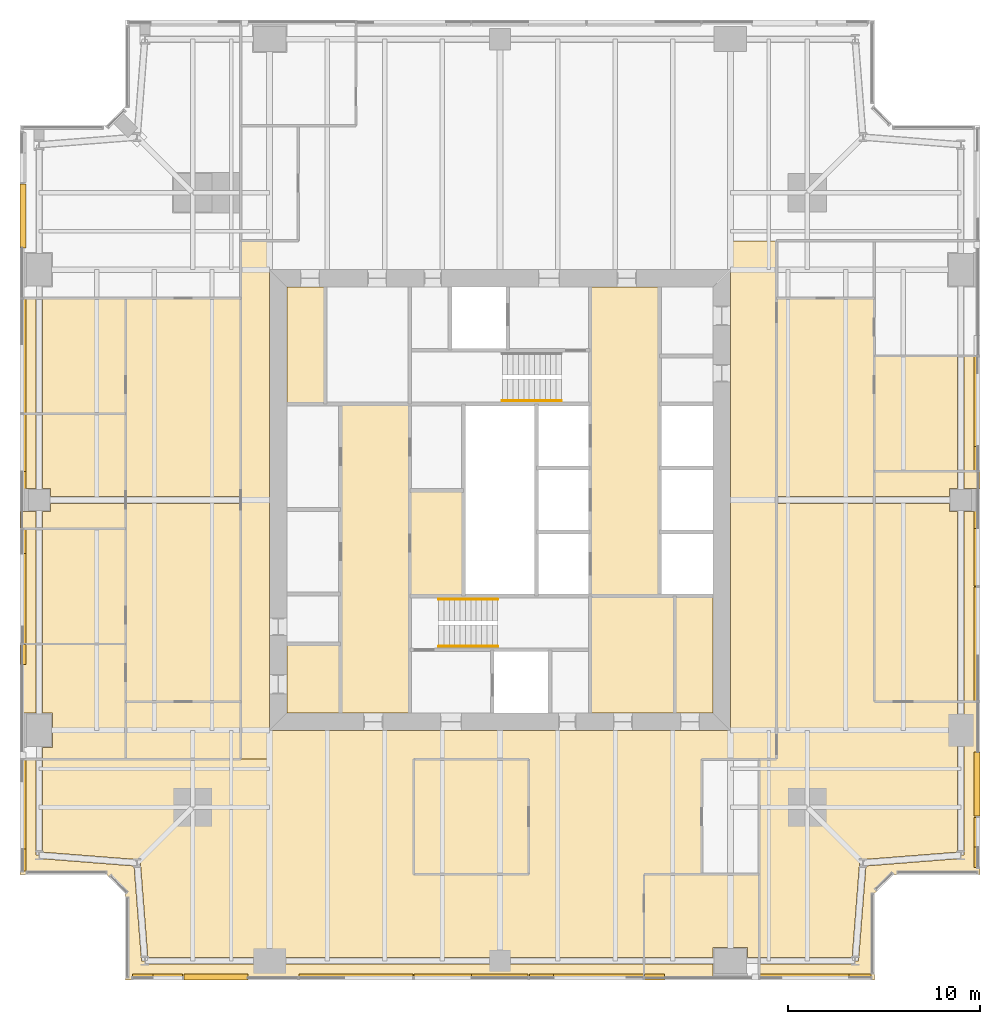
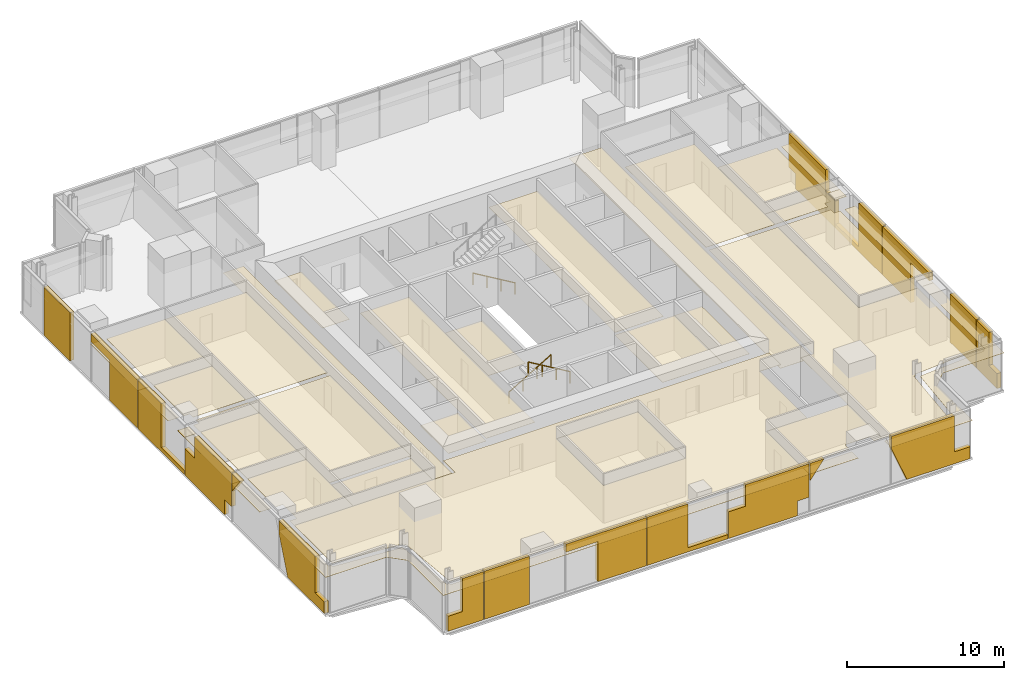
# One storey, part 13 of 14: 54 coverings, 3 railings.
"""IFC4 building model written with IfcOpenShell, lengths in metres."""

import ifcopenshell
import ifcopenshell.guid

model = None  # the IFC model being written
_history = None  # IfcOwnerHistory: only IFC2X3 demands one
_inside = {}  # id of a spatial element -> (the spatial element, [elements in it])
_under = {}  # id of a project, library or spatial element -> (it, [spatial elements below it])
_declared = {}  # id of a project -> (the project, [libraries it declares])
_typed = {}  # id of a type object -> (the type object, [elements of that type])
_made_of = {}  # id of a material, layer set ... -> (it, [elements and type objects made of it])


def new_model(schema):
    """Start an empty IFC model of exactly this schema.

    Asked for "IFC4X3", IfcOpenShell would pick the latest addendum, in which some entities
    have other attributes; the version numbers below select the first issue.
    IFC2X3 requires an IfcOwnerHistory on every rooted entity: one is made here for all.
    """
    global model, _history
    if schema == "IFC4X3":
        model = ifcopenshell.file(schema_version=(4, 3, 0, 0))
    else:
        model = ifcopenshell.file(schema=schema)
    _inside.clear()
    _under.clear()
    _declared.clear()
    _typed.clear()
    _made_of.clear()
    _history = None
    if model.schema == "IFC2X3":
        org = make("IfcOrganization", Name="unknown")
        user = make(
            "IfcPersonAndOrganization",
            ThePerson=make("IfcPerson", FamilyName="unknown"),
            TheOrganization=org,
        )
        app = make(
            "IfcApplication",
            ApplicationDeveloper=org,
            Version="unknown",
            ApplicationFullName="unknown",
            ApplicationIdentifier="unknown",
        )
        _history = make(
            "IfcOwnerHistory",
            OwningUser=user,
            OwningApplication=app,
            ChangeAction="ADDED",
            CreationDate=0,
        )
    return model


def make(cls, **values):
    """One entity of the class cls with the attributes given. An attribute that is None is left unset."""
    return model.create_entity(
        cls, **{name: value for name, value in values.items() if value is not None}
    )


def rooted(cls, **values):
    """An entity with a GlobalId (a new one), such as an element, a storey or a relation."""
    return make(cls, GlobalId=ifcopenshell.guid.new(), OwnerHistory=_history, **values)


def si_unit(unit_type, name, prefix=None):
    """IfcSIUnit, for example si_unit("LENGTHUNIT", "METRE", prefix="MILLI")."""
    return make("IfcSIUnit", UnitType=unit_type, Prefix=prefix, Name=name)


def assignment(units):
    """IfcUnitAssignment: the units of a project."""
    return None if units is None else make("IfcUnitAssignment", Units=units)


def point(xyz):
    """IfcCartesianPoint."""
    return None if xyz is None else make("IfcCartesianPoint", Coordinates=xyz)


def direction(xyz):
    """IfcDirection."""
    return None if xyz is None else make("IfcDirection", DirectionRatios=xyz)


def frame(location, z_axis=None, x_axis=None):
    """IfcAxis2Placement3D, a coordinate frame: its origin and axes. An axis left out is left unset."""
    return make(
        "IfcAxis2Placement3D",
        Location=point(location),
        Axis=direction(z_axis),
        RefDirection=direction(x_axis),
    )


def frame_2d(location, x_axis=None):
    """IfcAxis2Placement2D, a coordinate frame in the plane: its origin and x axis."""
    return make(
        "IfcAxis2Placement2D", Location=point(location), RefDirection=direction(x_axis)
    )


def origin():
    """The frame at (0, 0, 0) with its axes left unset."""
    return frame((0.0, 0.0, 0.0))


def origin_2d():
    """The frame at (0, 0) in the plane with its x axis left unset."""
    return frame_2d((0.0, 0.0))


def place(relative_to, where):
    """IfcLocalPlacement: puts the frame where relative to a parent placement (None: the world)."""
    return make(
        "IfcLocalPlacement", PlacementRelTo=relative_to, RelativePlacement=where
    )


def context(
    kind, dimensions, precision=None, world=None, true_north=None, identifier=None
):
    """IfcGeometricRepresentationContext, for example the 3D "Model" context."""
    return make(
        "IfcGeometricRepresentationContext",
        ContextIdentifier=identifier,
        ContextType=kind,
        CoordinateSpaceDimension=dimensions,
        Precision=precision,
        WorldCoordinateSystem=world,
        TrueNorth=true_north,
    )


def subcontext(parent, identifier, kind, view, scale=None):
    """IfcGeometricRepresentationSubContext, for example "Body" below "Model"."""
    return make(
        "IfcGeometricRepresentationSubContext",
        ContextIdentifier=identifier,
        ContextType=kind,
        ParentContext=parent,
        TargetScale=scale,
        TargetView=view,
    )


def project(units=None, contexts=None):
    """IfcProject with its units and contexts."""
    return rooted(
        "IfcProject",
        Name="project",
        RepresentationContexts=contexts,
        UnitsInContext=assignment(units),
    )


def spatial(cls, under=None, at=None, **own):
    """A site, building, storey or space (cls), placed at a placement, below another one or the project."""
    s = rooted(cls, ObjectPlacement=at, **own)
    if under is not None:
        _under.setdefault(under.id(), (under, []))[1].append(s)
    return s


def polyline(points):
    """IfcPolyline through the points."""
    return make("IfcPolyline", Points=[point(p) for p in points])


def profile(cls, at=None, kind="AREA", **sizes):
    """A parametric profile (cls). Its sizes go by their IFC names, for example OverallWidth=200.0."""
    return make(cls, ProfileType=kind, Position=at, **sizes)


def circle(**sizes):
    """IfcCircleProfileDef."""
    return profile("IfcCircleProfileDef", **sizes)


def outline(outer, holes=None, kind="AREA"):
    """IfcArbitraryClosedProfileDef: a profile drawn as a closed curve; with holes, ...WithVoids."""
    if holes is None:
        return make("IfcArbitraryClosedProfileDef", ProfileType=kind, OuterCurve=outer)
    return make(
        "IfcArbitraryProfileDefWithVoids",
        ProfileType=kind,
        OuterCurve=outer,
        InnerCurves=holes,
    )


def extrude(swept, where, along, depth):
    """IfcExtrudedAreaSolid: the profile swept, set in the frame where, extruded along a direction by depth."""
    return make(
        "IfcExtrudedAreaSolid",
        SweptArea=swept,
        Position=where,
        ExtrudedDirection=direction(along),
        Depth=depth,
    )


def shape(context_of_items, identifier, shape_type, items):
    """IfcShapeRepresentation: the items that make up one representation, for example the "Body"."""
    return make(
        "IfcShapeRepresentation",
        ContextOfItems=context_of_items,
        RepresentationIdentifier=identifier,
        RepresentationType=shape_type,
        Items=items,
    )


def material(Name=None, Category=None):
    """IfcMaterial."""
    return make("IfcMaterial", Name=Name, Category=Category)


def layer(
    of_material, thickness, ventilated=None, Name=None, Category=None, Priority=None
):
    """IfcMaterialLayer: one layer of a wall or slab, of a material (None: an air gap)."""
    return make(
        "IfcMaterialLayer",
        Material=of_material,
        LayerThickness=thickness,
        IsVentilated=ventilated,
        Name=Name,
        Category=Category,
        Priority=Priority,
    )


def layer_set(layers, Name=None):
    """IfcMaterialLayerSet."""
    return make("IfcMaterialLayerSet", MaterialLayers=layers, LayerSetName=Name)


def made_of(thing, what):
    """Note that an element or type object is made of a material, layer set ...; save() writes the relation."""
    if what is not None:
        _made_of.setdefault(what.id(), (what, []))[1].append(thing)
    return thing


def type_object(cls, material=None, **own):
    """A type object (cls), such as IfcWallType, which elements share."""
    return made_of(rooted(cls, **own), material)


def element(
    cls,
    number,
    at=None,
    inside=None,
    cuts=None,
    type_object=None,
    material=None,
    context=None,
    identifier="Body",
    shape_type=None,
    held_by="IfcProductDefinitionShape",
    body=None,
    shapes=None,
    **own,
):
    """One element of the class cls, such as IfcWall. Its Tag is "e" and its number.

    at: its placement. inside: the storey or other place that contains it. cuts: it is an
    opening in that element (IfcRelVoidsElement). A single representation is given by context,
    identifier, shape_type and body (its items); several are given by shapes. held_by: the class
    of the entity that holds the representations. save() writes the other relations.
    """
    e = rooted(cls, Tag="e%d" % number, ObjectPlacement=at, **own)
    if body is not None:
        shapes = [shape(context, identifier, shape_type, body)]
    if shapes is not None:
        e.Representation = make(held_by, Representations=shapes)
    if inside is not None:
        _inside.setdefault(inside.id(), (inside, []))[1].append(e)
    if cuts is not None:
        rooted(
            "IfcRelVoidsElement", RelatingBuildingElement=cuts, RelatedOpeningElement=e
        )
    if type_object is not None:
        _typed.setdefault(type_object.id(), (type_object, []))[1].append(e)
    return made_of(e, material)


def aggregate(whole, parts):
    """IfcRelAggregates: a whole, such as a stair, and the parts it consists of."""
    return rooted("IfcRelAggregates", RelatingObject=whole, RelatedObjects=parts)


def save(model, path):
    """Write the relations noted so far, then the file.

    IfcRelAggregates (storeys below a building ...), IfcRelContainedInSpatialStructure (elements
    in a storey), IfcRelDefinesByType, IfcRelAssociatesMaterial and IfcRelDeclares: one each for
    every whole, place, type object, material and project.
    """
    for whole, parts in _under.values():
        aggregate(whole, parts)
    for where, things in _inside.values():
        rooted(
            "IfcRelContainedInSpatialStructure",
            RelatedElements=things,
            RelatingStructure=where,
        )
    for kind, things in _typed.values():
        rooted("IfcRelDefinesByType", RelatedObjects=things, RelatingType=kind)
    for what, things in _made_of.values():
        rooted("IfcRelAssociatesMaterial", RelatedObjects=things, RelatingMaterial=what)
    for by, libraries in _declared.values():
        rooted("IfcRelDeclares", RelatingContext=by, RelatedDefinitions=libraries)
    model.write(path)


model = new_model("IFC4")

# Units and contexts
model_context = context("Model", 3, precision=1e-05, world=origin(), true_north=direction((0.0, 1.0)))
body_context = subcontext(model_context, "Body", "Model", "MODEL_VIEW")
ifc_project = project(units=[si_unit("LENGTHUNIT", "METRE"), si_unit("AREAUNIT", "SQUARE_METRE"), si_unit("VOLUMEUNIT", "CUBIC_METRE"), si_unit("PLANEANGLEUNIT", "RADIAN"), si_unit("MASSUNIT", "GRAM", prefix="KILO")], contexts=[model_context])

# Site, building, storey
site_placement = place(None, origin())
site = spatial("IfcSite", under=ifc_project, at=site_placement, CompositionType="ELEMENT")
building_placement = place(site_placement, origin())
building = spatial("IfcBuilding", under=site, at=building_placement, Name="Fenwick Lantern Interchange", CompositionType="ELEMENT")
storey_placement = place(building_placement, frame((0.0, 0.0, 221.800048828125)))
storey = spatial("IfcBuildingStorey", under=building, at=storey_placement, Name="L52", CompositionType="ELEMENT", Elevation=221.800048828125)

# Coverings
ifc_material_1 = material(Name="Mineral fibre acoustic tile on suspended grid")
ifc_layer_1 = layer(ifc_material_1, 0.02001953125)
ifc_layer_set_1 = layer_set([ifc_layer_1], Name="ACOUSTIC TILE CEILING 20")
covering_type_1 = type_object("IfcCoveringType", Name="ACOUSTIC TILE CEILING 20", PredefinedType="CEILING", material=ifc_layer_set_1)
covering_1_placement = place(storey_placement, frame((0.0, 0.0, 2.699951171875)))
element("IfcCovering", 1, at=covering_1_placement, inside=storey, type_object=covering_type_1, Name="Mail room ceiling", PredefinedType="CEILING", context=body_context, shape_type="SweptSolid", body=[
    extrude(outline(polyline([(20.300048828125, 20.0), (23.10009765625, 20.0), (23.10009765625, 25.5), (20.300048828125, 25.5), (20.300048828125, 20.0)])), origin(), (0.0, 0.0, 1.0), 0.02001953125),
])
covering_2_placement = place(storey_placement, frame((0.0, 0.0, 2.89990234375)))
element("IfcCovering", 2, at=covering_2_placement, inside=storey, type_object=covering_type_1, Name="Open office ceiling", PredefinedType="CEILING", context=body_context, shape_type="SweptSolid", body=[
    extrude(outline(polyline([(32.5, 5.5), (35.5, 5.5), (35.5, 11.5), (37.0, 11.5), (37.0, 13.0), (13.0, 13.0), (13.0, 11.5), (1.17236328125, 11.5), (1.17236328125, 6.659423828125), (6.113525390625, 6.27197265625), (6.10009765625, 6.10009765625), (6.27197265625, 6.113525390625), (6.659423828125, 1.17236328125), (13.0, 1.17236328125), (25.0, 1.17236328125), (32.5, 1.17236328125), (32.5, 5.5)]), holes=[polyline([(20.5, 11.5), (26.5, 11.5), (26.5, 5.5), (20.5, 5.5), (20.5, 11.5)])]), origin(), (0.0, 0.0, 1.0), 0.02001953125),
])
covering_3_placement = place(storey_placement, frame((0.0, 0.0, 2.89990234375)))
element("IfcCovering", 3, at=covering_3_placement, inside=storey, type_object=covering_type_1, Name="Open office ceiling", PredefinedType="CEILING", context=body_context, shape_type="SweptSolid", body=[
    extrude(outline(polyline([(32.5, 0.0), (32.5, 0.82763671875), (25.0, 0.82763671875), (13.0, 0.82763671875), (6.5, 0.82763671875), (6.5, 1.0), (6.328125, 0.986572265625), (5.939697265625, 5.939697265625), (0.986572265625, 6.328125), (1.0, 6.5), (0.82763671875, 6.5), (0.82763671875, 11.5), (0.0, 11.5), (0.0, 5.5), (4.5, 5.5), (5.5, 4.5), (5.5, 0.0), (32.5, 0.0)])), origin(), (0.0, 0.0, 1.0), 0.02001953125),
])
covering_4_placement = place(storey_placement, frame((0.0, 0.0, 2.89990234375)))
element("IfcCovering", 4, at=covering_4_placement, inside=storey, type_object=covering_type_1, Name="Meeting room ceiling", PredefinedType="CEILING", context=body_context, shape_type="SweptSolid", body=[
    extrude(outline(polyline([(20.5, 5.5), (26.5, 5.5), (26.5, 11.5), (20.5, 11.5), (20.5, 5.5)])), origin(), (0.0, 0.0, 1.0), 0.02001953125),
])
covering_5_placement = place(storey_placement, frame((0.0, 0.0, 2.89990234375)))
element("IfcCovering", 5, at=covering_5_placement, inside=storey, type_object=covering_type_1, Name="Office ceiling", PredefinedType="CEILING", context=body_context, shape_type="SweptSolid", body=[
    extrude(outline(polyline([(32.5, 5.5), (32.5, 1.17236328125), (36.10009765625, 1.17236328125), (36.10009765625, 1.699951171875), (37.89990234375, 1.699951171875), (37.89990234375, 1.17236328125), (38.5, 1.17236328125), (38.5, 5.5), (32.5, 5.5)])), origin(), (0.0, 0.0, 1.0), 0.02001953125),
])
covering_6_placement = place(storey_placement, frame((0.0, 0.0, 2.89990234375)))
element("IfcCovering", 6, at=covering_6_placement, inside=storey, type_object=covering_type_1, Name="Office ceiling", PredefinedType="CEILING", context=body_context, shape_type="SweptSolid", body=[
    extrude(outline(polyline([(32.5, 0.82763671875), (32.5, 0.0), (36.10009765625, 0.0), (36.10009765625, 0.82763671875), (32.5, 0.82763671875)])), origin(), (0.0, 0.0, 1.0), 0.02001953125),
])
covering_7_placement = place(storey_placement, frame((0.0, 0.0, 2.89990234375)))
element("IfcCovering", 7, at=covering_7_placement, inside=storey, type_object=covering_type_1, Name="Board meeting room ceiling", PredefinedType="CEILING", context=body_context, shape_type="SweptSolid", body=[
    extrude(outline(polyline([(44.5, 24.824951171875), (44.5, 14.5), (48.82763671875, 14.5), (48.82763671875, 24.39990234375), (48.39990234375, 24.39990234375), (48.39990234375, 24.824951171875), (44.5, 24.824951171875)])), origin(), (0.0, 0.0, 1.0), 0.02001953125),
])
covering_8_placement = place(storey_placement, frame((0.0, 0.0, 2.89990234375)))
element("IfcCovering", 8, at=covering_8_placement, inside=storey, type_object=covering_type_1, Name="Board meeting room ceiling", PredefinedType="CEILING", context=body_context, shape_type="SweptSolid", body=[
    extrude(outline(polyline([(50.0, 24.39990234375), (49.17236328125, 24.39990234375), (49.17236328125, 14.5), (50.0, 14.5), (50.0, 24.39990234375)])), origin(), (0.0, 0.0, 1.0), 0.02001953125),
])
covering_9_placement = place(storey_placement, frame((0.0, 0.0, 2.89990234375)))
element("IfcCovering", 9, at=covering_9_placement, inside=storey, type_object=covering_type_1, Name="Board meeting room ceiling", PredefinedType="CEILING", context=body_context, shape_type="SweptSolid", body=[
    extrude(outline(polyline([(44.5, 26.5), (44.5, 25.175048828125), (48.39990234375, 25.175048828125), (48.39990234375, 25.60009765625), (48.82763671875, 25.60009765625), (48.82763671875, 26.5), (44.5, 26.5)])), origin(), (0.0, 0.0, 1.0), 0.02001953125),
])
covering_10_placement = place(storey_placement, frame((0.0, 0.0, 2.89990234375)))
element("IfcCovering", 10, at=covering_10_placement, inside=storey, type_object=covering_type_1, Name="Board meeting room ceiling", PredefinedType="CEILING", context=body_context, shape_type="SweptSolid", body=[
    extrude(outline(polyline([(50.0, 26.5), (49.17236328125, 26.5), (49.17236328125, 25.60009765625), (50.0, 25.60009765625), (50.0, 26.5)])), origin(), (0.0, 0.0, 1.0), 0.02001953125),
])
covering_11_placement = place(storey_placement, frame((0.0, 0.0, 2.89990234375)))
element("IfcCovering", 11, at=covering_11_placement, inside=storey, type_object=covering_type_1, Name="Office ceiling", PredefinedType="CEILING", context=body_context, shape_type="SweptSolid", body=[
    extrude(outline(polyline([(44.5, 26.5), (48.82763671875, 26.5), (48.82763671875, 32.5), (44.5, 32.5), (44.5, 26.5)])), origin(), (0.0, 0.0, 1.0), 0.02001953125),
])
covering_12_placement = place(storey_placement, frame((0.0, 0.0, 2.89990234375)))
element("IfcCovering", 12, at=covering_12_placement, inside=storey, type_object=covering_type_1, Name="Office ceiling", PredefinedType="CEILING", context=body_context, shape_type="SweptSolid", body=[
    extrude(outline(polyline([(50.0, 32.5), (49.17236328125, 32.5), (49.17236328125, 26.5), (50.0, 26.5), (50.0, 32.5)])), origin(), (0.0, 0.0, 1.0), 0.02001953125),
])
covering_13_placement = place(storey_placement, frame((0.0, 0.0, 2.89990234375)))
element("IfcCovering", 13, at=covering_13_placement, inside=storey, type_object=covering_type_1, Name="Open office ceiling", PredefinedType="CEILING", context=body_context, shape_type="SweptSolid", body=[
    extrude(outline(polyline([(11.5, 14.5), (11.5, 24.824951171875), (5.5, 24.824951171875), (5.5, 14.5), (11.5, 14.5)])), origin(), (0.0, 0.0, 1.0), 0.02001953125),
])
covering_14_placement = place(storey_placement, frame((0.0, 0.0, 2.89990234375)))
element("IfcCovering", 14, at=covering_14_placement, inside=storey, type_object=covering_type_1, Name="Open office ceiling", PredefinedType="CEILING", context=body_context, shape_type="SweptSolid", body=[
    extrude(outline(polyline([(11.5, 25.175048828125), (11.5, 35.5), (5.5, 35.5), (5.5, 25.175048828125), (11.5, 25.175048828125)])), origin(), (0.0, 0.0, 1.0), 0.02001953125),
])
covering_15_placement = place(storey_placement, frame((0.0, 0.0, 2.89990234375)))
element("IfcCovering", 15, at=covering_15_placement, inside=storey, type_object=covering_type_1, Name="Office ceiling", PredefinedType="CEILING", context=body_context, shape_type="SweptSolid", body=[
    extrude(outline(polyline([(5.5, 35.5), (1.17236328125, 35.5), (1.17236328125, 29.5), (5.5, 29.5), (5.5, 35.5)])), origin(), (0.0, 0.0, 1.0), 0.02001953125),
])
covering_16_placement = place(storey_placement, frame((0.0, 0.0, 2.89990234375)))
element("IfcCovering", 16, at=covering_16_placement, inside=storey, type_object=covering_type_1, Name="Office ceiling", PredefinedType="CEILING", context=body_context, shape_type="SweptSolid", body=[
    extrude(outline(polyline([(0.0, 29.5), (0.82763671875, 29.5), (0.82763671875, 35.5), (0.0, 35.5), (0.0, 29.5)])), origin(), (0.0, 0.0, 1.0), 0.02001953125),
])
covering_17_placement = place(storey_placement, frame((0.0, 0.0, 2.89990234375)))
element("IfcCovering", 17, at=covering_17_placement, inside=storey, type_object=covering_type_1, Name="Office ceiling", PredefinedType="CEILING", context=body_context, shape_type="SweptSolid", body=[
    extrude(outline(polyline([(5.5, 29.5), (1.17236328125, 29.5), (1.17236328125, 25.60009765625), (1.60009765625, 25.60009765625), (1.60009765625, 25.175048828125), (5.5, 25.175048828125), (5.5, 29.5)])), origin(), (0.0, 0.0, 1.0), 0.02001953125),
])
covering_18_placement = place(storey_placement, frame((0.0, 0.0, 2.89990234375)))
element("IfcCovering", 18, at=covering_18_placement, inside=storey, type_object=covering_type_1, Name="Office ceiling", PredefinedType="CEILING", context=body_context, shape_type="SweptSolid", body=[
    extrude(outline(polyline([(5.5, 23.5), (5.5, 24.824951171875), (1.60009765625, 24.824951171875), (1.60009765625, 24.39990234375), (1.17236328125, 24.39990234375), (1.17236328125, 23.5), (5.5, 23.5)])), origin(), (0.0, 0.0, 1.0), 0.02001953125),
])
covering_19_placement = place(storey_placement, frame((0.0, 0.0, 2.89990234375)))
element("IfcCovering", 19, at=covering_19_placement, inside=storey, type_object=covering_type_1, Name="Office ceiling", PredefinedType="CEILING", context=body_context, shape_type="SweptSolid", body=[
    extrude(outline(polyline([(0.82763671875, 29.5), (0.0, 29.5), (0.0, 25.60009765625), (0.82763671875, 25.60009765625), (0.82763671875, 29.5)])), origin(), (0.0, 0.0, 1.0), 0.02001953125),
])
covering_20_placement = place(storey_placement, frame((0.0, 0.0, 2.89990234375)))
element("IfcCovering", 20, at=covering_20_placement, inside=storey, type_object=covering_type_1, Name="Office ceiling", PredefinedType="CEILING", context=body_context, shape_type="SweptSolid", body=[
    extrude(outline(polyline([(0.0, 23.5), (0.82763671875, 23.5), (0.82763671875, 24.39990234375), (0.0, 24.39990234375), (0.0, 23.5)])), origin(), (0.0, 0.0, 1.0), 0.02001953125),
])
covering_21_placement = place(storey_placement, frame((0.0, 0.0, 2.89990234375)))
element("IfcCovering", 21, at=covering_21_placement, inside=storey, type_object=covering_type_1, Name="Office ceiling", PredefinedType="CEILING", context=body_context, shape_type="SweptSolid", body=[
    extrude(outline(polyline([(5.5, 23.5), (1.17236328125, 23.5), (1.17236328125, 17.5), (5.5, 17.5), (5.5, 23.5)])), origin(), (0.0, 0.0, 1.0), 0.02001953125),
])
covering_22_placement = place(storey_placement, frame((0.0, 0.0, 2.89990234375)))
element("IfcCovering", 22, at=covering_22_placement, inside=storey, type_object=covering_type_1, Name="Office ceiling", PredefinedType="CEILING", context=body_context, shape_type="SweptSolid", body=[
    extrude(outline(polyline([(0.0, 17.5), (0.82763671875, 17.5), (0.82763671875, 23.5), (0.0, 23.5), (0.0, 17.5)])), origin(), (0.0, 0.0, 1.0), 0.02001953125),
])
covering_23_placement = place(storey_placement, frame((0.0, 0.0, 2.89990234375)))
element("IfcCovering", 23, at=covering_23_placement, inside=storey, type_object=covering_type_1, Name="Office ceiling", PredefinedType="CEILING", context=body_context, shape_type="SweptSolid", body=[
    extrude(outline(polyline([(5.5, 17.5), (1.17236328125, 17.5), (1.17236328125, 13.89990234375), (1.699951171875, 13.89990234375), (1.699951171875, 12.10009765625), (1.17236328125, 12.10009765625), (1.17236328125, 11.5), (5.5, 11.5), (5.5, 17.5)])), origin(), (0.0, 0.0, 1.0), 0.02001953125),
])
covering_24_placement = place(storey_placement, frame((0.0, 0.0, 2.89990234375)))
element("IfcCovering", 24, at=covering_24_placement, inside=storey, type_object=covering_type_1, Name="Office ceiling", PredefinedType="CEILING", context=body_context, shape_type="SweptSolid", body=[
    extrude(outline(polyline([(0.82763671875, 17.5), (0.0, 17.5), (0.0, 13.89990234375), (0.82763671875, 13.89990234375), (0.82763671875, 17.5)])), origin(), (0.0, 0.0, 1.0), 0.02001953125),
])
ifc_material_2 = material(Name="Granite cladding, warm grey flamed finish, on aluminium carrier frame", Category="masonry")
ifc_layer_2 = layer(ifc_material_2, 0.300048828125)
ifc_layer_set_2 = layer_set([ifc_layer_2], Name="BRACE CASING PANEL 300")
covering_type_2 = type_object("IfcCoveringType", Name="BRACE CASING PANEL 300", PredefinedType="CLADDING", material=ifc_layer_set_2)
covering_25_placement = place(storey_placement, frame((5.60009765625, 0.10009765625, 0.0), z_axis=(0.0, 0.0, 1.0), x_axis=(1.0, 0.0, 0.0)))
element("IfcCovering", 25, at=covering_25_placement, inside=storey, type_object=covering_type_2, Name="Brace casing 01 bay 00a", PredefinedType="CLADDING", context=body_context, shape_type="SweptSolid", body=[
    extrude(outline(polyline([(0.264892578125, 0.0), (2.867431640625, 0.0), (2.867431640625, 3.75), (1.320068359375, 3.75), (1.320068359375, 1.17333984375), (0.264892578125, 1.17333984375), (0.264892578125, 0.0)])), frame((0.0, 0.2001953125, 0.0), z_axis=(0.0, -1.0, 0.0), x_axis=(1.0, 0.0, 0.0)), (0.0, 0.0, 1.0), 0.300048828125),
])
covering_26_placement = place(storey_placement, frame((5.60009765625, 0.10009765625, 0.0), z_axis=(0.0, 0.0, 1.0), x_axis=(1.0, 0.0, 0.0)))
element("IfcCovering", 26, at=covering_26_placement, inside=storey, type_object=covering_type_2, Name="Brace casing 01 bay 01a", PredefinedType="CLADDING", context=body_context, shape_type="SweptSolid", body=[
    extrude(outline(polyline([(2.9326171875, 0.0), (6.2646484375, 0.0), (6.2646484375, 3.75), (2.9326171875, 3.75), (2.9326171875, 0.0)])), frame((0.0, 0.2001953125, 0.0), z_axis=(0.0, -1.0, 0.0), x_axis=(1.0, 0.0, 0.0)), (0.0, 0.0, 1.0), 0.300048828125),
])
covering_27_placement = place(storey_placement, frame((5.60009765625, 0.10009765625, 0.0), z_axis=(0.0, 0.0, 1.0), x_axis=(1.0, 0.0, 0.0)))
element("IfcCovering", 27, at=covering_27_placement, inside=storey, type_object=covering_type_2, Name="Brace casing 01 bay 02a", PredefinedType="CLADDING", context=body_context, shape_type="SweptSolid", body=[
    extrude(outline(polyline([(11.297607421875, 0.0), (14.867431640625, 0.0), (14.867431640625, 3.75), (8.9326171875, 3.75), (8.9326171875, 3.133544921875), (11.297607421875, 3.133544921875), (11.297607421875, 0.0)])), frame((0.0, 0.2001953125, 0.0), z_axis=(0.0, -1.0, 0.0), x_axis=(1.0, 0.0, 0.0)), (0.0, 0.0, 1.0), 0.300048828125),
])
covering_28_placement = place(storey_placement, frame((5.60009765625, 0.10009765625, 0.0), z_axis=(0.0, 0.0, 1.0), x_axis=(1.0, 0.0, 0.0)))
element("IfcCovering", 28, at=covering_28_placement, inside=storey, type_object=covering_type_2, Name="Brace casing 01 bay 03a", PredefinedType="CLADDING", context=body_context, shape_type="SweptSolid", body=[
    extrude(outline(polyline([(14.9326171875, 0.0), (20.867431640625, 0.0), (20.867431640625, 0.328125), (17.928466796875, 0.328125), (17.928466796875, 3.75), (14.9326171875, 3.75), (14.9326171875, 0.0)])), frame((0.0, 0.2001953125, 0.0), z_axis=(0.0, -1.0, 0.0), x_axis=(1.0, 0.0, 0.0)), (0.0, 0.0, 1.0), 0.300048828125),
])
covering_29_placement = place(storey_placement, frame((5.60009765625, 0.10009765625, 0.0), z_axis=(0.0, 0.0, 1.0), x_axis=(1.0, 0.0, 0.0)))
element("IfcCovering", 29, at=covering_29_placement, inside=storey, type_object=covering_type_2, Name="Brace casing 01 bay 04a", PredefinedType="CLADDING", context=body_context, shape_type="SweptSolid", body=[
    extrude(outline(polyline([(20.9326171875, 0.0), (26.00048828125, 0.0), (26.00048828125, 1.14501953125), (26.867431640625, 1.14501953125), (26.867431640625, 3.75), (22.192626953125, 3.75), (22.192626953125, 2.07666015625), (20.9326171875, 2.07666015625), (20.9326171875, 0.0)])), frame((0.0, 0.2001953125, 0.0), z_axis=(0.0, -1.0, 0.0), x_axis=(1.0, 0.0, 0.0)), (0.0, 0.0, 1.0), 0.300048828125),
])
covering_30_placement = place(storey_placement, frame((5.60009765625, 0.10009765625, 2.37890625), z_axis=(0.0, 0.0, 1.0), x_axis=(1.0, 0.0, 0.0)))
element("IfcCovering", 30, at=covering_30_placement, inside=storey, type_object=covering_type_2, Name="Brace casing 01 bay 05a", PredefinedType="CLADDING", context=body_context, shape_type="SweptSolid", body=[
    extrude(outline(polyline([(26.9326171875, 0.0), (27.96826171875, 1.37109375), (26.9326171875, 1.37109375), (26.9326171875, 0.0)])), frame((0.0, 0.2001953125, 0.0), z_axis=(0.0, -1.0, 0.0), x_axis=(1.0, 0.0, 0.0)), (0.0, 0.0, 1.0), 0.300048828125),
])
covering_31_placement = place(storey_placement, frame((5.60009765625, 0.10009765625, 0.0), z_axis=(0.0, 0.0, 1.0), x_axis=(1.0, 0.0, 0.0)))
element("IfcCovering", 31, at=covering_31_placement, inside=storey, type_object=covering_type_2, Name="Brace casing 01 bay 06a", PredefinedType="CLADDING", context=body_context, shape_type="SweptSolid", body=[
    extrude(outline(polyline([(34.0703125, 0.0), (38.735107421875, 0.0), (38.735107421875, 0.92724609375), (37.58056640625, 0.92724609375), (37.58056640625, 3.75), (32.9326171875, 3.75), (32.9326171875, 2.78076171875), (34.0703125, 0.0)])), frame((0.0, 0.2001953125, 0.0), z_axis=(0.0, -1.0, 0.0), x_axis=(1.0, 0.0, 0.0)), (0.0, 0.0, 1.0), 0.300048828125),
])
covering_32_placement = place(storey_placement, frame((49.89990234375, 5.60009765625, 0.0), z_axis=(0.0, 0.0, 1.0), x_axis=(0.0, 1.0, 0.0)))
element("IfcCovering", 32, at=covering_32_placement, inside=storey, type_object=covering_type_2, Name="Brace casing 05 bay 00a", PredefinedType="CLADDING", context=body_context, shape_type="SweptSolid", body=[
    extrude(outline(polyline([(0.264892578125, 0.0), (2.867431640625, 0.0), (2.867431640625, 3.75), (1.320068359375, 3.75), (1.320068359375, 1.17333984375), (0.264892578125, 1.17333984375), (0.264892578125, 0.0)])), frame((0.0, 0.2001953125, 0.0), z_axis=(0.0, -1.0, 0.0), x_axis=(1.0, 0.0, 0.0)), (0.0, 0.0, 1.0), 0.300048828125),
])
covering_33_placement = place(storey_placement, frame((49.89990234375, 5.60009765625, 0.0), z_axis=(0.0, 0.0, 1.0), x_axis=(0.0, 1.0, 0.0)))
element("IfcCovering", 33, at=covering_33_placement, inside=storey, type_object=covering_type_2, Name="Brace casing 05 bay 01a", PredefinedType="CLADDING", context=body_context, shape_type="SweptSolid", body=[
    extrude(outline(polyline([(2.9326171875, 0.0), (6.2646484375, 0.0), (6.2646484375, 3.75), (2.9326171875, 3.75), (2.9326171875, 0.0)])), frame((0.0, 0.2001953125, 0.0), z_axis=(0.0, -1.0, 0.0), x_axis=(1.0, 0.0, 0.0)), (0.0, 0.0, 1.0), 0.300048828125),
])
covering_34_placement = place(storey_placement, frame((49.89990234375, 5.60009765625, 0.0), z_axis=(0.0, 0.0, 1.0), x_axis=(0.0, 1.0, 0.0)))
element("IfcCovering", 34, at=covering_34_placement, inside=storey, type_object=covering_type_2, Name="Brace casing 05 bay 02a", PredefinedType="CLADDING", context=body_context, shape_type="SweptSolid", body=[
    extrude(outline(polyline([(11.297607421875, 0.0), (14.867431640625, 0.0), (14.867431640625, 3.75), (8.9326171875, 3.75), (8.9326171875, 3.133544921875), (11.297607421875, 3.133544921875), (11.297607421875, 0.0)])), frame((0.0, 0.2001953125, 0.0), z_axis=(0.0, -1.0, 0.0), x_axis=(1.0, 0.0, 0.0)), (0.0, 0.0, 1.0), 0.300048828125),
])
covering_35_placement = place(storey_placement, frame((49.89990234375, 5.60009765625, 0.0), z_axis=(0.0, 0.0, 1.0), x_axis=(0.0, 1.0, 0.0)))
element("IfcCovering", 35, at=covering_35_placement, inside=storey, type_object=covering_type_2, Name="Brace casing 05 bay 03a", PredefinedType="CLADDING", context=body_context, shape_type="SweptSolid", body=[
    extrude(outline(polyline([(14.9326171875, 0.0), (20.867431640625, 0.0), (20.867431640625, 0.328125), (17.928466796875, 0.328125), (17.928466796875, 3.75), (14.9326171875, 3.75), (14.9326171875, 0.0)])), frame((0.0, 0.2001953125, 0.0), z_axis=(0.0, -1.0, 0.0), x_axis=(1.0, 0.0, 0.0)), (0.0, 0.0, 1.0), 0.300048828125),
])
covering_36_placement = place(storey_placement, frame((49.89990234375, 5.60009765625, 0.0), z_axis=(0.0, 0.0, 1.0), x_axis=(0.0, 1.0, 0.0)))
element("IfcCovering", 36, at=covering_36_placement, inside=storey, type_object=covering_type_2, Name="Brace casing 05 bay 04a", PredefinedType="CLADDING", context=body_context, shape_type="SweptSolid", body=[
    extrude(outline(polyline([(20.9326171875, 0.0), (26.00048828125, 0.0), (26.00048828125, 1.14501953125), (26.867431640625, 1.14501953125), (26.867431640625, 3.75), (22.192626953125, 3.75), (22.192626953125, 2.07666015625), (20.9326171875, 2.07666015625), (20.9326171875, 0.0)])), frame((0.0, 0.2001953125, 0.0), z_axis=(0.0, -1.0, 0.0), x_axis=(1.0, 0.0, 0.0)), (0.0, 0.0, 1.0), 0.300048828125),
])
covering_37_placement = place(storey_placement, frame((0.10009765625, 44.39990234375, 0.0), z_axis=(0.0, 0.0, 1.0), x_axis=(0.0, -1.0, 0.0)))
element("IfcCovering", 37, at=covering_37_placement, inside=storey, type_object=covering_type_2, Name="Brace casing 13 bay 01a", PredefinedType="CLADDING", context=body_context, shape_type="SweptSolid", body=[
    extrude(outline(polyline([(2.9326171875, 0.0), (6.2646484375, 0.0), (6.2646484375, 3.75), (2.9326171875, 3.75), (2.9326171875, 0.0)])), frame((0.0, 0.2001953125, 0.0), z_axis=(0.0, -1.0, 0.0), x_axis=(1.0, 0.0, 0.0)), (0.0, 0.0, 1.0), 0.300048828125),
])
covering_38_placement = place(storey_placement, frame((0.10009765625, 44.39990234375, 0.0), z_axis=(0.0, 0.0, 1.0), x_axis=(0.0, -1.0, 0.0)))
element("IfcCovering", 38, at=covering_38_placement, inside=storey, type_object=covering_type_2, Name="Brace casing 13 bay 02a", PredefinedType="CLADDING", context=body_context, shape_type="SweptSolid", body=[
    extrude(outline(polyline([(11.297607421875, 0.0), (14.867431640625, 0.0), (14.867431640625, 3.75), (8.9326171875, 3.75), (8.9326171875, 3.133544921875), (11.297607421875, 3.133544921875), (11.297607421875, 0.0)])), frame((0.0, 0.2001953125, 0.0), z_axis=(0.0, -1.0, 0.0), x_axis=(1.0, 0.0, 0.0)), (0.0, 0.0, 1.0), 0.300048828125),
])
covering_39_placement = place(storey_placement, frame((0.10009765625, 44.39990234375, 0.0), z_axis=(0.0, 0.0, 1.0), x_axis=(0.0, -1.0, 0.0)))
element("IfcCovering", 39, at=covering_39_placement, inside=storey, type_object=covering_type_2, Name="Brace casing 13 bay 03a", PredefinedType="CLADDING", context=body_context, shape_type="SweptSolid", body=[
    extrude(outline(polyline([(14.9326171875, 0.0), (20.867431640625, 0.0), (20.867431640625, 0.328125), (17.928466796875, 0.328125), (17.928466796875, 3.75), (14.9326171875, 3.75), (14.9326171875, 0.0)])), frame((0.0, 0.2001953125, 0.0), z_axis=(0.0, -1.0, 0.0), x_axis=(1.0, 0.0, 0.0)), (0.0, 0.0, 1.0), 0.300048828125),
])
covering_40_placement = place(storey_placement, frame((0.10009765625, 44.39990234375, 0.0), z_axis=(0.0, 0.0, 1.0), x_axis=(0.0, -1.0, 0.0)))
element("IfcCovering", 40, at=covering_40_placement, inside=storey, type_object=covering_type_2, Name="Brace casing 13 bay 04a", PredefinedType="CLADDING", context=body_context, shape_type="SweptSolid", body=[
    extrude(outline(polyline([(20.9326171875, 0.0), (26.00048828125, 0.0), (26.00048828125, 1.14501953125), (26.867431640625, 1.14501953125), (26.867431640625, 3.75), (22.192626953125, 3.75), (22.192626953125, 2.07666015625), (20.9326171875, 2.07666015625), (20.9326171875, 0.0)])), frame((0.0, 0.2001953125, 0.0), z_axis=(0.0, -1.0, 0.0), x_axis=(1.0, 0.0, 0.0)), (0.0, 0.0, 1.0), 0.300048828125),
])
covering_41_placement = place(storey_placement, frame((0.10009765625, 44.39990234375, 2.37890625), z_axis=(0.0, 0.0, 1.0), x_axis=(0.0, -1.0, 0.0)))
element("IfcCovering", 41, at=covering_41_placement, inside=storey, type_object=covering_type_2, Name="Brace casing 13 bay 05a", PredefinedType="CLADDING", context=body_context, shape_type="SweptSolid", body=[
    extrude(outline(polyline([(26.9326171875, 0.0), (27.96826171875, 1.37109375), (26.9326171875, 1.37109375), (26.9326171875, 0.0)])), frame((0.0, 0.2001953125, 0.0), z_axis=(0.0, -1.0, 0.0), x_axis=(1.0, 0.0, 0.0)), (0.0, 0.0, 1.0), 0.300048828125),
])
covering_42_placement = place(storey_placement, frame((0.10009765625, 44.39990234375, 0.0), z_axis=(0.0, 0.0, 1.0), x_axis=(0.0, -1.0, 0.0)))
element("IfcCovering", 42, at=covering_42_placement, inside=storey, type_object=covering_type_2, Name="Brace casing 13 bay 06a", PredefinedType="CLADDING", context=body_context, shape_type="SweptSolid", body=[
    extrude(outline(polyline([(34.0703125, 0.0), (38.735107421875, 0.0), (38.735107421875, 0.92724609375), (37.58056640625, 0.92724609375), (37.58056640625, 3.75), (32.9326171875, 3.75), (32.9326171875, 2.78076171875), (34.0703125, 0.0)])), frame((0.0, 0.2001953125, 0.0), z_axis=(0.0, -1.0, 0.0), x_axis=(1.0, 0.0, 0.0)), (0.0, 0.0, 1.0), 0.300048828125),
])

# Railings
ifc_material_3 = material(Name="Stainless steel handrail", Category="steel")
railing_type = type_object("IfcRailingType", Name="HANDRAIL 900", PredefinedType="HANDRAIL", material=ifc_material_3)
railing_placement = place(storey_placement, frame((21.800048828125, 19.825927734375, 0.16650390625)))
element("IfcRailing", 43, at=railing_placement, inside=storey, type_object=railing_type, Name="L52/STAIR/ST1/HR1", PredefinedType="HANDRAIL", context=body_context, shape_type="SweptSolid", body=[
    extrude(circle(Radius=0.02392578125, at=origin_2d()), frame((0.0, 0.0, 0.8759765625), z_axis=(0.859260807169, 0.0, 0.511537745687), x_axis=(0.0, 1.0, 0.0)), (0.0, 0.0, 1.0), 3.584228515625),
    extrude(circle(Radius=0.02099609375, at=origin_2d()), origin(), (0.0, 0.0, 1.0), 0.851806640625),
    extrude(circle(Radius=0.02099609375, at=origin_2d()), frame((1.026611328125, 0.0, 0.611083984375)), (0.0, 0.0, 1.0), 0.851806640625),
    extrude(circle(Radius=0.02099609375, at=origin_2d()), frame((2.05322265625, 0.0, 1.222412109375)), (0.0, 0.0, 1.0), 0.851806640625),
    extrude(circle(Radius=0.02099609375, at=origin_2d()), frame((3.079833984375, 0.0, 1.83349609375)), (0.0, 0.0, 1.0), 0.851806640625),
])
for number, where, name in (
    (44, (24.8798828125, 17.3740234375, 2.16650390625), "L52/STAIR/ST1/HR2"),
    (45, (28.199951171875, 30.174072265625, 0.16650390625), "L52/STAIR/ST2/HR1"),
):
    element("IfcRailing", number, at=place(storey_placement, frame(where)), inside=storey, type_object=railing_type, Name=name, PredefinedType="HANDRAIL", context=body_context, shape_type="SweptSolid", body=[
        extrude(circle(Radius=0.02392578125, at=origin_2d()), frame((0.0, 0.0, 0.8759765625), z_axis=(-0.859260807169, 0.0, 0.511537745687), x_axis=(0.0, -1.0, 0.0)), (0.0, 0.0, 1.0), 3.584228515625),
        extrude(circle(Radius=0.02099609375, at=origin_2d()), origin(), (0.0, 0.0, 1.0), 0.851806640625),
        extrude(circle(Radius=0.02099609375, at=origin_2d()), frame((-1.026611328125, 0.0, 0.611083984375)), (0.0, 0.0, 1.0), 0.851806640625),
        extrude(circle(Radius=0.02099609375, at=origin_2d()), frame((-2.05322265625, 0.0, 1.222412109375)), (0.0, 0.0, 1.0), 0.851806640625),
        extrude(circle(Radius=0.02099609375, at=origin_2d()), frame((-3.079833984375, 0.0, 1.83349609375)), (0.0, 0.0, 1.0), 0.851806640625),
    ])

# Coverings
ifc_material_4 = material(Name="Moisture resistant gypsum board on suspended frame, painted")
ifc_layer_3 = layer(ifc_material_4, 0.014892578125)
ifc_layer_set_3 = layer_set([ifc_layer_3], Name="MOISTURE RESISTANT CEILING 15")
covering_type_3 = type_object("IfcCoveringType", Name="MOISTURE RESISTANT CEILING 15", PredefinedType="CEILING", material=ifc_layer_set_3)
covering_43_placement = place(storey_placement, frame((0.0, 0.0, 2.599853515625)))
element("IfcCovering", 46, at=covering_43_placement, inside=storey, type_object=covering_type_3, Name="Women's WC ceiling", PredefinedType="CEILING", context=body_context, shape_type="SweptSolid", body=[
    extrude(outline(polyline([(29.699951171875, 13.89990234375), (34.10009765625, 13.89990234375), (34.10009765625, 20.0), (29.699951171875, 20.0), (29.699951171875, 13.89990234375)])), origin(), (0.0, 0.0, 1.0), 0.01513671875),
])
covering_44_placement = place(storey_placement, frame((0.0, 0.0, 2.599853515625)))
element("IfcCovering", 47, at=covering_44_placement, inside=storey, type_object=covering_type_3, Name="Men's WC ceiling", PredefinedType="CEILING", context=body_context, shape_type="SweptSolid", body=[
    extrude(outline(polyline([(34.10009765625, 13.89990234375), (36.10009765625, 13.89990234375), (36.10009765625, 20.0), (34.10009765625, 20.0), (34.10009765625, 13.89990234375)])), origin(), (0.0, 0.0, 1.0), 0.01513671875),
])
covering_45_placement = place(storey_placement, frame((0.0, 0.0, 2.599853515625)))
element("IfcCovering", 48, at=covering_45_placement, inside=storey, type_object=covering_type_3, Name="Accessible WC and shower ceiling", PredefinedType="CEILING", context=body_context, shape_type="SweptSolid", body=[
    extrude(outline(polyline([(13.89990234375, 13.89990234375), (16.699951171875, 13.89990234375), (16.699951171875, 17.5), (13.89990234375, 17.5), (13.89990234375, 13.89990234375)])), origin(), (0.0, 0.0, 1.0), 0.01513671875),
])
covering_46_placement = place(storey_placement, frame((0.0, 0.0, 2.599853515625)))
element("IfcCovering", 49, at=covering_46_placement, inside=storey, type_object=covering_type_3, Name="Men's WC ceiling", PredefinedType="CEILING", context=body_context, shape_type="SweptSolid", body=[
    extrude(outline(polyline([(15.89990234375, 36.10009765625), (13.89990234375, 36.10009765625), (13.89990234375, 30.0), (15.89990234375, 30.0), (15.89990234375, 36.10009765625)])), origin(), (0.0, 0.0, 1.0), 0.01513671875),
])
covering_47_placement = place(storey_placement, frame((0.0, 0.0, 2.699951171875)))
element("IfcCovering", 50, at=covering_47_placement, inside=storey, type_object=covering_type_3, Name="Pantry ceiling", PredefinedType="CEILING", context=body_context, shape_type="SweptSolid", body=[
    extrude(outline(polyline([(5.5, 14.5), (5.5, 11.5), (11.5, 11.5), (11.5, 14.5), (5.5, 14.5)])), origin(), (0.0, 0.0, 1.0), 0.014892578125),
])
ifc_material_5 = material(Name="Gypsum plasterboard on suspended frame, painted")
ifc_layer_4 = layer(ifc_material_5, 0.014892578125)
ifc_layer_set_4 = layer_set([ifc_layer_4], Name="PLASTERBOARD CEILING 15")
covering_type_4 = type_object("IfcCoveringType", Name="PLASTERBOARD CEILING 15", PredefinedType="CEILING", material=ifc_layer_set_4)
covering_48_placement = place(storey_placement, frame((0.0, 0.0, 2.800048828125)))
element("IfcCovering", 51, at=covering_48_placement, inside=storey, type_object=covering_type_4, Name="Lift lobby ceiling", PredefinedType="CEILING", context=body_context, shape_type="SweptSolid", body=[
    extrude(outline(polyline([(16.699951171875, 13.89990234375), (20.300048828125, 13.89990234375), (20.300048828125, 30.0), (16.699951171875, 30.0), (16.699951171875, 13.89990234375)])), origin(), (0.0, 0.0, 1.0), 0.014892578125),
])
covering_49_placement = place(storey_placement, frame((0.0, 0.0, 2.800048828125)))
element("IfcCovering", 52, at=covering_49_placement, inside=storey, type_object=covering_type_4, Name="Lift lobby ceiling", PredefinedType="CEILING", context=body_context, shape_type="SweptSolid", body=[
    extrude(outline(polyline([(33.300048828125, 36.10009765625), (29.699951171875, 36.10009765625), (29.699951171875, 20.0), (33.300048828125, 20.0), (33.300048828125, 36.10009765625)])), origin(), (0.0, 0.0, 1.0), 0.014892578125),
])
covering_50_placement = place(storey_placement, frame((0.0, 0.0, 2.599853515625)))
element("IfcCovering", 53, at=covering_50_placement, inside=storey, type_object=covering_type_4, Name="Corridor ceiling", PredefinedType="CEILING", context=body_context, shape_type="SweptSolid", body=[
    extrude(outline(polyline([(13.0, 38.5), (11.5, 38.5), (11.5, 11.5), (13.0, 11.5), (13.0, 38.5)])), origin(), (0.0, 0.0, 1.0), 0.01513671875),
])
covering_51_placement = place(storey_placement, frame((0.0, 0.0, 2.89990234375)))
element("IfcCovering", 54, at=covering_51_placement, inside=storey, type_object=covering_type_4, Name="Executive lounge ceiling", PredefinedType="CEILING", context=body_context, shape_type="SweptSolid", body=[
    extrude(outline(polyline([(38.5, 11.5), (38.5, 1.17236328125), (43.340576171875, 1.17236328125), (43.72802734375, 6.113525390625), (43.89990234375, 6.10009765625), (43.886474609375, 6.27197265625), (48.82763671875, 6.659423828125), (48.82763671875, 13.0), (48.82763671875, 14.5), (44.5, 14.5), (44.5, 24.824951171875), (39.39990234375, 24.824951171875), (39.39990234375, 11.5), (38.5, 11.5)])), origin(), (0.0, 0.0, 1.0), 0.01513671875),
])
covering_52_placement = place(storey_placement, frame((0.0, 0.0, 2.89990234375)))
element("IfcCovering", 55, at=covering_52_placement, inside=storey, type_object=covering_type_4, Name="Executive lounge ceiling", PredefinedType="CEILING", context=body_context, shape_type="SweptSolid", body=[
    extrude(outline(polyline([(39.39990234375, 35.5), (39.39990234375, 25.175048828125), (44.5, 25.175048828125), (44.5, 35.5), (39.39990234375, 35.5)])), origin(), (0.0, 0.0, 1.0), 0.01513671875),
])
covering_53_placement = place(storey_placement, frame((0.0, 0.0, 2.89990234375)))
element("IfcCovering", 56, at=covering_53_placement, inside=storey, type_object=covering_type_4, Name="Executive lounge ceiling", PredefinedType="CEILING", context=body_context, shape_type="SweptSolid", body=[
    extrude(outline(polyline([(38.5, 0.82763671875), (38.5, 0.0), (44.5, 0.0), (44.5, 4.5), (45.5, 5.5), (50.0, 5.5), (50.0, 14.5), (49.17236328125, 14.5), (49.17236328125, 13.0), (49.17236328125, 6.5), (49.0, 6.5), (49.013427734375, 6.328125), (44.060302734375, 5.939697265625), (43.671875, 0.986572265625), (43.5, 1.0), (43.5, 0.82763671875), (38.5, 0.82763671875)])), origin(), (0.0, 0.0, 1.0), 0.01513671875),
])
covering_54_placement = place(storey_placement, frame((0.0, 0.0, 2.599853515625)))
element("IfcCovering", 57, at=covering_54_placement, inside=storey, type_object=covering_type_4, Name="Corridor ceiling", PredefinedType="CEILING", context=body_context, shape_type="SweptSolid", body=[
    extrude(outline(polyline([(39.39990234375, 38.5), (37.0, 38.5), (37.0, 11.5), (39.39990234375, 11.5), (39.39990234375, 38.5)])), origin(), (0.0, 0.0, 1.0), 0.01513671875),
])

save(model, "model.ifc")
